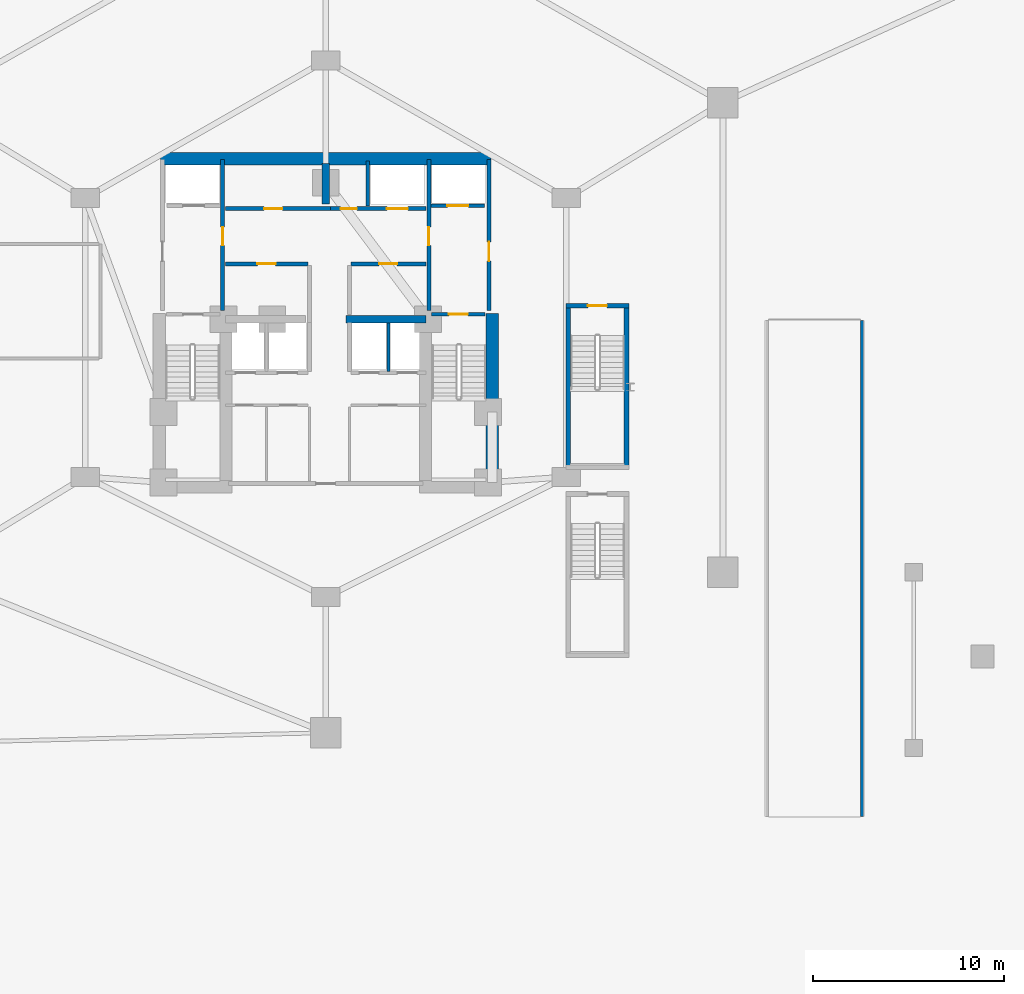
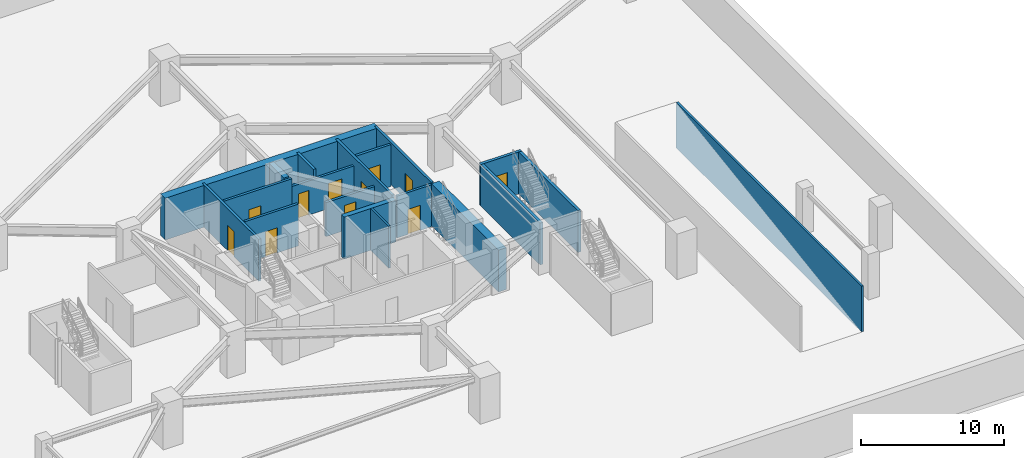
# One storey, part 7 of 12: 19 walls, 11 doors, 11 openings.
"""IFC4 building model written with IfcOpenShell, lengths in metres."""

from ifc_helpers import new_model, si_unit, direction, frame, frame_2d, origin, place, context, subcontext, project, spatial, rectangle, extrude, material, layer, layer_set, type_object, element, fill, save


model = new_model("IFC4")

# Units and contexts
model_context = context("Model", 3, precision=1e-05, world=origin(), true_north=direction((0.0, 1.0)))
body_context = subcontext(model_context, "Body", "Model", "MODEL_VIEW")
ifc_project = project(units=[si_unit("LENGTHUNIT", "METRE"), si_unit("AREAUNIT", "SQUARE_METRE"), si_unit("VOLUMEUNIT", "CUBIC_METRE"), si_unit("PLANEANGLEUNIT", "RADIAN"), si_unit("MASSUNIT", "GRAM", prefix="KILO")], contexts=[model_context])

# Site, building, storey
site_placement = place(None, origin())
site = spatial("IfcSite", under=ifc_project, at=site_placement, CompositionType="ELEMENT")
building_placement = place(site_placement, origin())
building = spatial("IfcBuilding", under=site, at=building_placement, Name="Miruveldt Soraemaru", CompositionType="ELEMENT")
storey_placement = place(building_placement, frame((0.0, 0.0, -11.699951171875)))
storey = spatial("IfcBuildingStorey", under=building, at=storey_placement, Name="B3", CompositionType="ELEMENT", Elevation=-11.699951171875)

# Walls
ifc_material_1 = material(Name="Concrete C70/85 (70 MPa)", Category="concrete")
ifc_layer_1 = layer(ifc_material_1, 0.5, Name="Concrete C70/85 (70 MPa)", Category="concrete")
ifc_layer_set_1 = layer_set([ifc_layer_1], Name="Concrete C70/85 (70 MPa)")
wall_type_1 = type_object("IfcWallType", Name="WALL-BW-500", PredefinedType="SHEAR", material=ifc_layer_set_1)
wall_1_placement = place(storey_placement, frame((44.0, 50.10009765625, 0.0), z_axis=(0.0, 0.0, 1.0), x_axis=(0.0, 1.0, 0.0)))
element("IfcWall", 1, at=wall_1_placement, inside=storey, type_object=wall_type_1, Name="B3 Core Buttress Shear Wall BN", PredefinedType="SHEAR", context=body_context, shape_type="SweptSolid", body=[
    extrude(rectangle(XDim=2.099853515625, YDim=0.39990234375, at=frame_2d((1.0498046875, 0.0))), origin(), (0.0, 0.0, 1.0), 3.579833984375),
])
wall_2_placement = place(storey_placement, frame((45.050048828125, 44.050048828125, 0.0), z_axis=(0.0, 0.0, 1.0), x_axis=(1.0, 0.0, 0.0)))
element("IfcWall", 2, at=wall_2_placement, inside=storey, type_object=wall_type_1, Name="B3 Core Buttress Shear Wall BE", PredefinedType="SHEAR", context=body_context, shape_type="SweptSolid", body=[
    extrude(rectangle(XDim=4.199951171875, YDim=0.39990234375, at=frame_2d((2.10009765625, 0.0))), origin(), (0.0, 0.0, 1.0), 3.579833984375),
])
ifc_material_2 = material(Name="Concrete C50/60 (50 MPa)", Category="concrete")
ifc_layer_2 = layer(ifc_material_2, 0.419921875, Name="Concrete C50/60 (50 MPa)", Category="concrete")
ifc_layer_set_2 = layer_set([ifc_layer_2], Name="Concrete C50/60 (50 MPa)")
wall_type_2 = type_object("IfcWallType", Name="WALL-CW-420", PredefinedType="SHEAR", material=ifc_layer_set_2)
wall_3_placement = place(storey_placement, frame((72.080078125, 18.02001953125, 0.0), z_axis=(0.0, 0.0, 1.0), x_axis=(0.0, 1.0, 0.0)))
element("IfcWall", 3, at=wall_3_placement, inside=storey, type_object=wall_type_2, Name="B3 Car Park Ramp Shaft Structural Side Wall E", PredefinedType="SHEAR", context=body_context, shape_type="SweptSolid", body=[
    extrude(rectangle(XDim=25.9599609375, YDim=0.159912109375, at=frame_2d((12.97998046875, 0.0))), origin(), (0.0, 0.0, 1.0), 3.89990234375),
])

# Wall, opening, door
wall_4_placement = place(storey_placement, frame((56.580078125, 44.75, 0.0), z_axis=(0.0, 0.0, 1.0), x_axis=(1.0, 0.0, 0.0)))
wall_4 = element("IfcWall", 4, at=wall_4_placement, inside=storey, type_object=wall_type_2, Name="B3 Podium Garden Feature Stair ST-4 Structural Shaft Wall N", PredefinedType="SHEAR", context=body_context, shape_type="SweptSolid", body=[
    extrude(rectangle(XDim=3.2900390625, YDim=0.239990234375, at=frame_2d((1.64501953125, 0.0))), origin(), (0.0, 0.0, 1.0), 3.579833984375),
])
opening_1_placement = place(wall_4_placement, frame((1.14501953125, 0.0, 0.0)))
opening_1 = element("IfcOpeningElement", 5, at=opening_1_placement, cuts=wall_4, Name="Opening FD1", PredefinedType="OPENING", context=body_context, shape_type="SweptSolid", body=[
    extrude(rectangle(XDim=1.0, YDim=2.14990234375, at=frame_2d((0.5, 1.074951171875))), frame((0.0, 0.1298828125, 0.0), z_axis=(0.0, -1.0, 0.0), x_axis=(1.0, 0.0, 0.0)), (0.0, 0.0, 1.0), 0.260009765625),
])
ifc_material_3 = material(Name="Anodised aluminium EN AW-6063 T6", Category="aluminium")
door_type_1 = type_object("IfcDoorType", Name="DOOR-FD1-1000", OperationType="NOTDEFINED", PredefinedType="DOOR", material=ifc_material_3)
door_1_placement = place(opening_1_placement, frame((1.0, 0.0, 0.0), z_axis=(0.0, 0.0, 1.0), x_axis=(-1.0, 0.0, 0.0)))
door_1 = element("IfcDoor", 6, at=door_1_placement, inside=storey, type_object=door_type_1, Name="B3 Podium Garden Feature Stair ST-4 Fire Door", OperationType="SINGLE_SWING_LEFT", OverallHeight=2.14990234375, OverallWidth=1.0, PredefinedType="DOOR", context=body_context, shape_type="SweptSolid", body=[
    extrude(rectangle(XDim=1.0, YDim=2.14990234375, at=frame_2d((0.5, 1.074951171875))), frame((0.0, 0.02490234375, 0.0), z_axis=(0.0, -1.0, 0.0), x_axis=(1.0, 0.0, 0.0)), (0.0, 0.0, 1.0), 0.050048828125),
])
fill(opening_1, door_1)

# Walls
for number, where, z_axis, x_axis, name in (
    (7, (56.699951171875, 36.35009765625, 0.0), (0.0, 0.0, 1.0), (0.0, 1.0, 0.0), "B3 Podium Garden Feature Stair ST-4 Structural Shaft Wall W"),
    (8, (59.75, 36.35009765625, 0.0), (0.0, 0.0, 1.0), (0.0, 1.0, 0.0), "B3 Podium Garden Feature Stair ST-4 Structural Shaft Wall E"),
):
    element("IfcWall", number, at=place(storey_placement, frame(where, z_axis=z_axis, x_axis=x_axis)), inside=storey, type_object=wall_type_2, Name=name, PredefinedType="SHEAR", context=body_context, shape_type="SweptSolid", body=[
        extrude(rectangle(XDim=8.349853515625, YDim=0.239990234375, at=frame_2d((4.1748046875, 0.0))), origin(), (0.0, 0.0, 1.0), 3.579833984375),
    ])
ifc_material_4 = material(Name="Concrete C80/95 (80 MPa)", Category="concrete")
ifc_layer_3 = layer(ifc_material_4, 0.64990234375, Name="Concrete C80/95 (80 MPa)", Category="concrete")
ifc_layer_set_3 = layer_set([ifc_layer_3], Name="Concrete C80/95 (80 MPa)")
wall_type_3 = type_object("IfcWallType", Name="WALL-CW-650", PredefinedType="SHEAR", material=ifc_layer_set_3)
wall_5_placement = place(storey_placement, frame((35.35009765625, 52.449951171875, 0.0), z_axis=(0.0, 0.0, 1.0), x_axis=(1.0, 0.0, 0.0)))
element("IfcWall", 9, at=wall_5_placement, inside=storey, type_object=wall_type_3, Name="B3 Central Core Shear Wall N", PredefinedType="SHEAR", context=body_context, shape_type="SweptSolid", body=[
    extrude(rectangle(XDim=17.2998046875, YDim=0.64990234375, at=frame_2d((8.64990234375, 0.0))), origin(), (0.0, 0.0, 1.0), 3.579833984375),
])
wall_6_placement = place(storey_placement, frame((52.72509765625, 34.949951171875, 0.0), z_axis=(0.0, 0.0, 1.0), x_axis=(0.0, 1.0, 0.0)))
element("IfcWall", 10, at=wall_6_placement, inside=storey, type_object=wall_type_3, Name="B3 Central Core Shear Wall E1", PredefinedType="SHEAR", context=body_context, shape_type="SweptSolid", body=[
    extrude(rectangle(XDim=9.400146484375, YDim=0.64990234375, at=frame_2d((4.7001953125, 0.0))), origin(), (0.0, 0.0, 1.0), 3.579833984375),
])
ifc_material_5 = material(Name="Concrete C40/50 (40 MPa)", Category="concrete")
ifc_layer_4 = layer(ifc_material_5, 0.159912109375, Name="Concrete C40/50 (40 MPa)", Category="concrete")
ifc_layer_set_4 = layer_set([ifc_layer_4], Name="Concrete C40/50 (40 MPa)")
wall_type_4 = type_object("IfcWallType", Name="WALL-INT-RC160", PredefinedType="SOLIDWALL", material=ifc_layer_set_4)
wall_7_placement = place(storey_placement, frame((47.280029296875, 41.320068359375, 0.0), z_axis=(0.0, 0.0, 1.0), x_axis=(0.0, 1.0, 0.0)))
element("IfcWall", 11, at=wall_7_placement, inside=storey, type_object=wall_type_4, Name="B3 Core Compartment Wall PLL-DE", PredefinedType="SOLIDWALL", context=body_context, shape_type="SweptSolid", body=[
    extrude(rectangle(XDim=2.530029296875, YDim=0.159912109375, at=frame_2d((1.26513671875, 0.0))), origin(), (0.0, 0.0, 1.0), 3.579833984375),
])

# Wall, opening, door
ifc_layer_5 = layer(ifc_material_5, 0.199951171875, Name="Concrete C40/50 (40 MPa)", Category="concrete")
ifc_layer_set_5 = layer_set([ifc_layer_5], Name="Concrete C40/50 (40 MPa)")
wall_type_5 = type_object("IfcWallType", Name="WALL-INT-RC200", PredefinedType="SOLIDWALL", material=ifc_layer_set_5)
wall_8_placement = place(storey_placement, frame((52.550048828125, 44.5, 0.0), z_axis=(0.0, 0.0, 1.0), x_axis=(0.0, 1.0, 0.0)))
wall_8 = element("IfcWall", 12, at=wall_8_placement, inside=storey, type_object=wall_type_5, Name="B3 Core Compartment Wall FFE-OUT", PredefinedType="SOLIDWALL", context=body_context, shape_type="SweptSolid", body=[
    extrude(rectangle(XDim=7.919921875, YDim=0.199951171875, at=frame_2d((3.9599609375, 0.0))), origin(), (0.0, 0.0, 1.0), 3.579833984375),
])
opening_2_placement = place(wall_8_placement, frame((2.60009765625, 0.0, 0.0)))
opening_2 = element("IfcOpeningElement", 13, at=opening_2_placement, cuts=wall_8, Name="Opening FD1", PredefinedType="OPENING", context=body_context, shape_type="SweptSolid", body=[
    extrude(rectangle(XDim=1.0, YDim=2.14990234375, at=frame_2d((0.5, 1.074951171875))), frame((0.0, 0.10986328125, 0.0), z_axis=(0.0, -1.0, 0.0), x_axis=(1.0, 0.0, 0.0)), (0.0, 0.0, 1.0), 0.219970703125),
])
door_2_placement = place(opening_2_placement, frame((1.0, 0.0, 0.0), z_axis=(0.0, 0.0, 1.0), x_axis=(-1.0, 0.0, 0.0)))
door_2 = element("IfcDoor", 14, at=door_2_placement, inside=storey, type_object=door_type_1, Name="B3 East Firefighting Lobby Exit Door", OperationType="SINGLE_SWING_RIGHT", OverallHeight=2.14990234375, OverallWidth=1.0, PredefinedType="DOOR", context=body_context, shape_type="SweptSolid", body=[
    extrude(rectangle(XDim=1.0, YDim=2.14990234375, at=frame_2d((0.5, 1.074951171875))), frame((0.0, 0.02490234375, 0.0), z_axis=(0.0, -1.0, 0.0), x_axis=(1.0, 0.0, 0.0)), (0.0, 0.0, 1.0), 0.050048828125),
])
fill(opening_2, door_2)

wall_9_placement = place(storey_placement, frame((38.60009765625, 44.5, 0.0), z_axis=(0.0, 0.0, 1.0), x_axis=(0.0, 1.0, 0.0)))
wall_9 = element("IfcWall", 15, at=wall_9_placement, inside=storey, type_object=wall_type_5, Name="B3 Core Compartment Wall FFW-IN", PredefinedType="SOLIDWALL", context=body_context, shape_type="SweptSolid", body=[
    extrude(rectangle(XDim=7.919921875, YDim=0.199951171875, at=frame_2d((3.9599609375, 0.0))), origin(), (0.0, 0.0, 1.0), 3.579833984375),
])
opening_3_placement = place(wall_9_placement, frame((3.425048828125, 0.0, 0.0)))
opening_3 = element("IfcOpeningElement", 16, at=opening_3_placement, cuts=wall_9, Name="Opening FD2", PredefinedType="OPENING", context=body_context, shape_type="SweptSolid", body=[
    extrude(rectangle(XDim=0.949951171875, YDim=2.14990234375, at=frame_2d((0.47509765625, 1.074951171875))), frame((0.0, 0.10986328125, 0.0), z_axis=(0.0, -1.0, 0.0), x_axis=(1.0, 0.0, 0.0)), (0.0, 0.0, 1.0), 0.219970703125),
])
door_type_2 = type_object("IfcDoorType", Name="DOOR-FD2-950", OperationType="NOTDEFINED", PredefinedType="DOOR", material=ifc_material_3)
door_3_placement = place(opening_3_placement, frame((0.949951171875, 0.0, 0.0), z_axis=(0.0, 0.0, 1.0), x_axis=(-1.0, 0.0, 0.0)))
door_3 = element("IfcDoor", 17, at=door_3_placement, inside=storey, type_object=door_type_2, Name="B3 Lift Lobby to West Fire Lobby Door", OperationType="SINGLE_SWING_RIGHT", OverallHeight=2.14990234375, OverallWidth=0.949951171875, PredefinedType="DOOR", context=body_context, shape_type="SweptSolid", body=[
    extrude(rectangle(XDim=0.949951171875, YDim=2.14990234375, at=frame_2d((0.47509765625, 1.074951171875))), frame((0.0, 0.02490234375, 0.0), z_axis=(0.0, -1.0, 0.0), x_axis=(1.0, 0.0, 0.0)), (0.0, 0.0, 1.0), 0.050048828125),
])
fill(opening_3, door_3)

wall_10_placement = place(storey_placement, frame((49.39990234375, 44.5, 0.0), z_axis=(0.0, 0.0, 1.0), x_axis=(0.0, 1.0, 0.0)))
wall_10 = element("IfcWall", 18, at=wall_10_placement, inside=storey, type_object=wall_type_5, Name="B3 Core Compartment Wall FFE-IN", PredefinedType="SOLIDWALL", context=body_context, shape_type="SweptSolid", body=[
    extrude(rectangle(XDim=7.919921875, YDim=0.199951171875, at=frame_2d((3.9599609375, 0.0))), origin(), (0.0, 0.0, 1.0), 3.579833984375),
])
opening_4_placement = place(wall_10_placement, frame((3.425048828125, 0.0, 0.0)))
opening_4 = element("IfcOpeningElement", 19, at=opening_4_placement, cuts=wall_10, Name="Opening FD2", PredefinedType="OPENING", context=body_context, shape_type="SweptSolid", body=[
    extrude(rectangle(XDim=0.949951171875, YDim=2.14990234375, at=frame_2d((0.47509765625, 1.074951171875))), frame((0.0, 0.10986328125, 0.0), z_axis=(0.0, -1.0, 0.0), x_axis=(1.0, 0.0, 0.0)), (0.0, 0.0, 1.0), 0.219970703125),
])
door_4_placement = place(opening_4_placement, origin())
door_4 = element("IfcDoor", 20, at=door_4_placement, inside=storey, type_object=door_type_2, Name="B3 Lift Lobby to East Fire Lobby Door", OperationType="SINGLE_SWING_LEFT", OverallHeight=2.14990234375, OverallWidth=0.949951171875, PredefinedType="DOOR", context=body_context, shape_type="SweptSolid", body=[
    extrude(rectangle(XDim=0.949951171875, YDim=2.14990234375, at=frame_2d((0.47509765625, 1.074951171875))), frame((0.0, 0.02490234375, 0.0), z_axis=(0.0, -1.0, 0.0), x_axis=(1.0, 0.0, 0.0)), (0.0, 0.0, 1.0), 0.050048828125),
])
fill(opening_4, door_4)

wall_11_placement = place(storey_placement, frame((38.75, 49.85009765625, 0.0), z_axis=(0.0, 0.0, 1.0), x_axis=(1.0, 0.0, 0.0)))
wall_11 = element("IfcWall", 21, at=wall_11_placement, inside=storey, type_object=wall_type_5, Name="B3 Core Compartment Wall ROWA-SW", PredefinedType="SOLIDWALL", context=body_context, shape_type="SweptSolid", body=[
    extrude(rectangle(XDim=5.5, YDim=0.199951171875, at=frame_2d((2.75, 0.0))), origin(), (0.0, 0.0, 1.0), 3.579833984375),
])
opening_5_placement = place(wall_11_placement, frame((2.02490234375, 0.0, 0.0)))
opening_5 = element("IfcOpeningElement", 22, at=opening_5_placement, cuts=wall_11, Name="Opening FD2", PredefinedType="OPENING", context=body_context, shape_type="SweptSolid", body=[
    extrude(rectangle(XDim=0.949951171875, YDim=2.14990234375, at=frame_2d((0.47509765625, 1.074951171875))), frame((0.0, 0.10986328125, 0.0), z_axis=(0.0, -1.0, 0.0), x_axis=(1.0, 0.0, 0.0)), (0.0, 0.0, 1.0), 0.219970703125),
])
door_5_placement = place(opening_5_placement, origin())
door_5 = element("IfcDoor", 23, at=door_5_placement, inside=storey, type_object=door_type_2, Name="B3 Fire Door", OperationType="SINGLE_SWING_LEFT", OverallHeight=2.14990234375, OverallWidth=0.949951171875, PredefinedType="DOOR", context=body_context, shape_type="SweptSolid", body=[
    extrude(rectangle(XDim=0.949951171875, YDim=2.14990234375, at=frame_2d((0.47509765625, 1.074951171875))), frame((0.0, 0.02490234375, 0.0), z_axis=(0.0, -1.0, 0.0), x_axis=(1.0, 0.0, 0.0)), (0.0, 0.0, 1.0), 0.050048828125),
])
fill(opening_5, door_5)

# Wall, openings, doors
wall_12_placement = place(storey_placement, frame((44.25, 49.85009765625, 0.0), z_axis=(0.0, 0.0, 1.0), x_axis=(1.0, 0.0, 0.0)))
wall_12 = element("IfcWall", 24, at=wall_12_placement, inside=storey, type_object=wall_type_5, Name="B3 Core Compartment Wall ROWA-SE", PredefinedType="SOLIDWALL", context=body_context, shape_type="SweptSolid", body=[
    extrude(rectangle(XDim=5.0, YDim=0.199951171875, at=frame_2d((2.5, 0.0))), origin(), (0.0, 0.0, 1.0), 2.91796875),
])
opening_6_placement = place(wall_12_placement, frame((0.52490234375, 0.0, 0.0)))
opening_6 = element("IfcOpeningElement", 25, at=opening_6_placement, cuts=wall_12, Name="Opening FD3", PredefinedType="OPENING", context=body_context, shape_type="SweptSolid", body=[
    extrude(rectangle(XDim=0.85009765625, YDim=2.10009765625, at=frame_2d((0.425048828125, 1.050048828125))), frame((0.0, 0.10986328125, 0.0), z_axis=(0.0, -1.0, 0.0), x_axis=(1.0, 0.0, 0.0)), (0.0, 0.0, 1.0), 0.219970703125),
])
opening_7_placement = place(wall_12_placement, frame((2.949951171875, 0.0, 0.0)))
opening_7 = element("IfcOpeningElement", 26, at=opening_7_placement, cuts=wall_12, Name="Opening LD2", PredefinedType="OPENING", context=body_context, shape_type="SweptSolid", body=[
    extrude(rectangle(XDim=1.10009765625, YDim=2.14990234375, at=frame_2d((0.550048828125, 1.074951171875))), frame((0.0, 0.10986328125, 0.0), z_axis=(0.0, -1.0, 0.0), x_axis=(1.0, 0.0, 0.0)), (0.0, 0.0, 1.0), 0.219970703125),
])
door_type_3 = type_object("IfcDoorType", Name="DOOR-FD3-850", OperationType="NOTDEFINED", PredefinedType="DOOR", material=ifc_material_3)
door_6_placement = place(opening_6_placement, origin())
door_6 = element("IfcDoor", 27, at=door_6_placement, inside=storey, type_object=door_type_3, Name="B3 Fire Door", OperationType="SINGLE_SWING_LEFT", OverallHeight=2.10009765625, OverallWidth=0.85009765625, PredefinedType="DOOR", context=body_context, shape_type="SweptSolid", body=[
    extrude(rectangle(XDim=0.85009765625, YDim=2.10009765625, at=frame_2d((0.425048828125, 1.050048828125))), frame((0.0, 0.02490234375, 0.0), z_axis=(0.0, -1.0, 0.0), x_axis=(1.0, 0.0, 0.0)), (0.0, 0.0, 1.0), 0.050048828125),
])
fill(opening_6, door_6)
door_type_4 = type_object("IfcDoorType", Name="DOOR-LD2-1100", OperationType="SLIDING_TO_LEFT", PredefinedType="DOOR", material=ifc_material_3)
door_7_placement = place(opening_7_placement, origin())
door_7 = element("IfcDoor", 28, at=door_7_placement, inside=storey, type_object=door_type_4, Name="B3 SL-1 Landing Door", OperationType="SLIDING_TO_LEFT", OverallHeight=2.14990234375, OverallWidth=1.10009765625, PredefinedType="DOOR", context=body_context, shape_type="SweptSolid", body=[
    extrude(rectangle(XDim=1.10009765625, YDim=2.14990234375, at=frame_2d((0.550048828125, 1.074951171875))), frame((0.0, 0.02490234375, 0.0), z_axis=(0.0, -1.0, 0.0), x_axis=(1.0, 0.0, 0.0)), (0.0, 0.0, 1.0), 0.050048828125),
])
fill(opening_7, door_7)

# Wall, opening, door
wall_13_placement = place(storey_placement, frame((38.75, 46.949951171875, 0.0), z_axis=(0.0, 0.0, 1.0), x_axis=(1.0, 0.0, 0.0)))
wall_13 = element("IfcWall", 29, at=wall_13_placement, inside=storey, type_object=wall_type_5, Name="B3 Core Compartment Wall MBW-N", PredefinedType="SOLIDWALL", context=body_context, shape_type="SweptSolid", body=[
    extrude(rectangle(XDim=4.330078125, YDim=0.199951171875, at=frame_2d((2.1650390625, 0.0))), origin(), (0.0, 0.0, 1.0), 3.579833984375),
])
opening_8_placement = place(wall_13_placement, frame((1.675048828125, 0.0, 0.0)))
opening_8 = element("IfcOpeningElement", 30, at=opening_8_placement, cuts=wall_13, Name="Opening FD2", PredefinedType="OPENING", context=body_context, shape_type="SweptSolid", body=[
    extrude(rectangle(XDim=0.949951171875, YDim=2.14990234375, at=frame_2d((0.47509765625, 1.074951171875))), frame((0.0, 0.10986328125, 0.0), z_axis=(0.0, -1.0, 0.0), x_axis=(1.0, 0.0, 0.0)), (0.0, 0.0, 1.0), 0.219970703125),
])
door_8_placement = place(opening_8_placement, origin())
door_8 = element("IfcDoor", 31, at=door_8_placement, inside=storey, type_object=door_type_2, Name="B3 Fire Door", OperationType="SINGLE_SWING_LEFT", OverallHeight=2.14990234375, OverallWidth=0.949951171875, PredefinedType="DOOR", context=body_context, shape_type="SweptSolid", body=[
    extrude(rectangle(XDim=0.949951171875, YDim=2.14990234375, at=frame_2d((0.47509765625, 1.074951171875))), frame((0.0, 0.02490234375, 0.0), z_axis=(0.0, -1.0, 0.0), x_axis=(1.0, 0.0, 0.0)), (0.0, 0.0, 1.0), 0.050048828125),
])
fill(opening_8, door_8)

wall_14_placement = place(storey_placement, frame((45.320068359375, 46.949951171875, 0.0), z_axis=(0.0, 0.0, 1.0), x_axis=(1.0, 0.0, 0.0)))
wall_14 = element("IfcWall", 32, at=wall_14_placement, inside=storey, type_object=wall_type_5, Name="B3 Core Compartment Wall MBE-N", PredefinedType="SOLIDWALL", context=body_context, shape_type="SweptSolid", body=[
    extrude(rectangle(XDim=3.929931640625, YDim=0.199951171875, at=frame_2d((1.96484375, 0.0))), origin(), (0.0, 0.0, 1.0), 2.91796875),
])
opening_9_placement = place(wall_14_placement, frame((1.47509765625, 0.0, 0.0)))
opening_9 = element("IfcOpeningElement", 33, at=opening_9_placement, cuts=wall_14, Name="Opening FD2", PredefinedType="OPENING", context=body_context, shape_type="SweptSolid", body=[
    extrude(rectangle(XDim=0.949951171875, YDim=2.14990234375, at=frame_2d((0.47509765625, 1.074951171875))), frame((0.0, 0.10986328125, 0.0), z_axis=(0.0, -1.0, 0.0), x_axis=(1.0, 0.0, 0.0)), (0.0, 0.0, 1.0), 0.219970703125),
])
door_9_placement = place(opening_9_placement, origin())
door_9 = element("IfcDoor", 34, at=door_9_placement, inside=storey, type_object=door_type_2, Name="B3 Fire Door", OperationType="SINGLE_SWING_LEFT", OverallHeight=2.14990234375, OverallWidth=0.949951171875, PredefinedType="DOOR", context=body_context, shape_type="SweptSolid", body=[
    extrude(rectangle(XDim=0.949951171875, YDim=2.14990234375, at=frame_2d((0.47509765625, 1.074951171875))), frame((0.0, 0.02490234375, 0.0), z_axis=(0.0, -1.0, 0.0), x_axis=(1.0, 0.0, 0.0)), (0.0, 0.0, 1.0), 0.050048828125),
])
fill(opening_9, door_9)

wall_15_placement = place(storey_placement, frame((49.550048828125, 44.320068359375, 0.0), z_axis=(0.0, 0.0, 1.0), x_axis=(1.0, 0.0, 0.0)))
wall_15 = element("IfcWall", 35, at=wall_15_placement, inside=storey, type_object=wall_type_5, Name="B3 Core Compartment Wall ST2-N", PredefinedType="SOLIDWALL", context=body_context, shape_type="SweptSolid", body=[
    extrude(rectangle(XDim=2.800048828125, YDim=0.199951171875, at=frame_2d((1.39990234375, 0.0))), origin(), (0.0, 0.0, 1.0), 3.579833984375),
])
opening_10_placement = place(wall_15_placement, frame((0.89990234375, 0.0, 0.0)))
opening_10 = element("IfcOpeningElement", 36, at=opening_10_placement, cuts=wall_15, Name="Opening FD1", PredefinedType="OPENING", context=body_context, shape_type="SweptSolid", body=[
    extrude(rectangle(XDim=1.0, YDim=2.14990234375, at=frame_2d((0.5, 1.074951171875))), frame((0.0, 0.10986328125, 0.0), z_axis=(0.0, -1.0, 0.0), x_axis=(1.0, 0.0, 0.0)), (0.0, 0.0, 1.0), 0.219970703125),
])
door_10_placement = place(opening_10_placement, frame((1.0, 0.0, 0.0), z_axis=(0.0, 0.0, 1.0), x_axis=(-1.0, 0.0, 0.0)))
door_10 = element("IfcDoor", 37, at=door_10_placement, inside=storey, type_object=door_type_1, Name="B3 Stair ST-2 Fire Door", OperationType="SINGLE_SWING_RIGHT", OverallHeight=2.14990234375, OverallWidth=1.0, PredefinedType="DOOR", context=body_context, shape_type="SweptSolid", body=[
    extrude(rectangle(XDim=1.0, YDim=2.14990234375, at=frame_2d((0.5, 1.074951171875))), frame((0.0, 0.02490234375, 0.0), z_axis=(0.0, -1.0, 0.0), x_axis=(1.0, 0.0, 0.0)), (0.0, 0.0, 1.0), 0.050048828125),
])
fill(opening_10, door_10)

wall_16_placement = place(storey_placement, frame((49.52001953125, 50.0, 0.0), z_axis=(0.0, 0.0, 1.0), x_axis=(1.0, 0.0, 0.0)))
wall_16 = element("IfcWall", 38, at=wall_16_placement, inside=storey, type_object=wall_type_5, Name="B3 Core Compartment Wall FFL2-S", PredefinedType="SOLIDWALL", context=body_context, shape_type="SweptSolid", body=[
    extrude(rectangle(XDim=2.800048828125, YDim=0.199951171875, at=frame_2d((1.39990234375, 0.0))), origin(), (0.0, 0.0, 1.0), 3.579833984375),
])
opening_11_placement = place(wall_16_placement, frame((0.85009765625, 0.0, 0.0)))
opening_11 = element("IfcOpeningElement", 39, at=opening_11_placement, cuts=wall_16, Name="Opening LD2", PredefinedType="OPENING", context=body_context, shape_type="SweptSolid", body=[
    extrude(rectangle(XDim=1.10009765625, YDim=2.14990234375, at=frame_2d((0.550048828125, 1.074951171875))), frame((0.0, 0.10986328125, 0.0), z_axis=(0.0, -1.0, 0.0), x_axis=(1.0, 0.0, 0.0)), (0.0, 0.0, 1.0), 0.219970703125),
])
door_11_placement = place(opening_11_placement, origin())
door_11 = element("IfcDoor", 40, at=door_11_placement, inside=storey, type_object=door_type_4, Name="B3 FFL-2 Landing Door", OperationType="SLIDING_TO_LEFT", OverallHeight=2.14990234375, OverallWidth=1.10009765625, PredefinedType="DOOR", context=body_context, shape_type="SweptSolid", body=[
    extrude(rectangle(XDim=1.10009765625, YDim=2.14990234375, at=frame_2d((0.550048828125, 1.074951171875))), frame((0.0, 0.02490234375, 0.0), z_axis=(0.0, -1.0, 0.0), x_axis=(1.0, 0.0, 0.0)), (0.0, 0.0, 1.0), 0.050048828125),
])
fill(opening_11, door_11)

# Wall
wall_17_placement = place(storey_placement, frame((46.199951171875, 49.97998046875, 0.0), z_axis=(0.0, 0.0, 1.0), x_axis=(0.0, 1.0, 0.0)))
element("IfcWall", 41, at=wall_17_placement, inside=storey, type_object=wall_type_5, Name="B3 Core Compartment Wall BBM-DIV", PredefinedType="SOLIDWALL", context=body_context, shape_type="SweptSolid", body=[
    extrude(rectangle(XDim=2.3701171875, YDim=0.199951171875, at=frame_2d((1.18505859375, 0.0))), origin(), (0.0, 0.0, 1.0), 3.579833984375),
])

save(model, "model.ifc")
